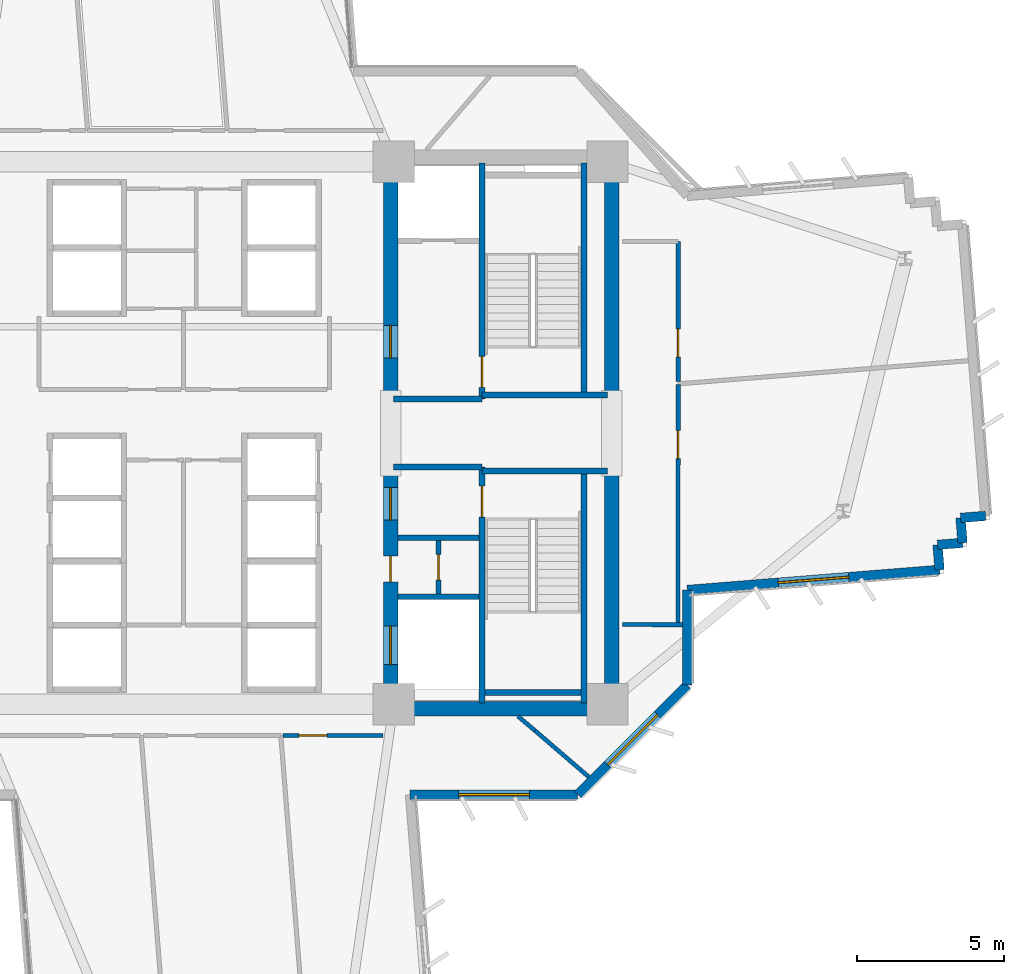
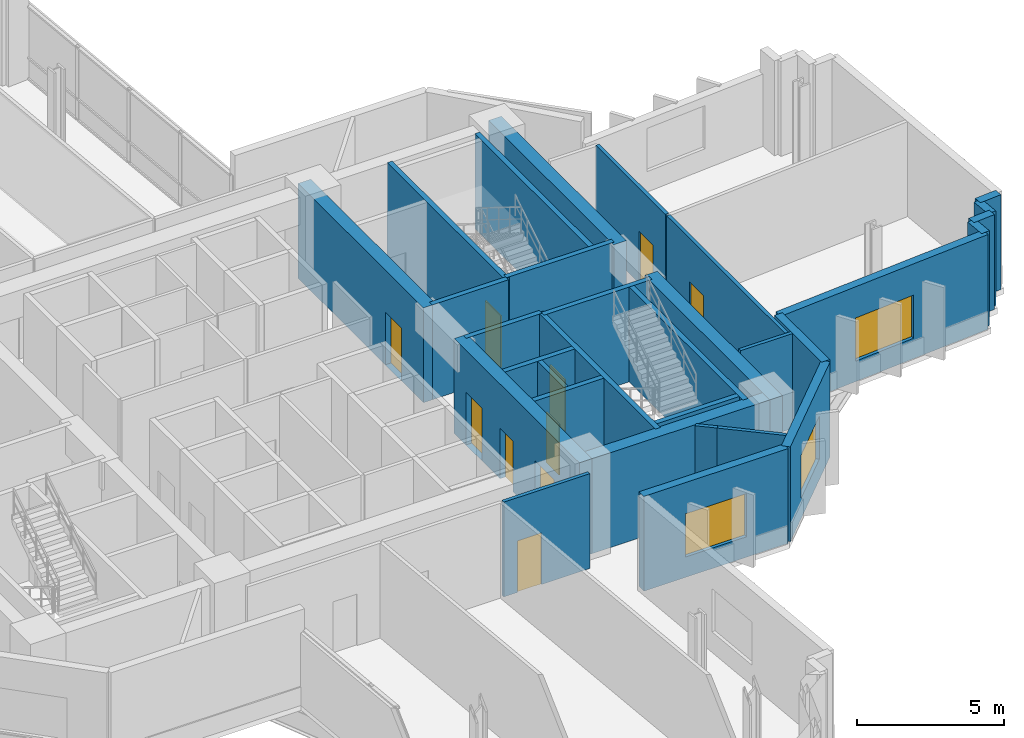
# One storey, part 8 of 15: 31 walls, 10 doors, 3 windows, 13 openings.
"""IFC4 building model written with IfcOpenShell, lengths in metres."""

from ifc_helpers import new_model, si_unit, direction, frame, frame_2d, origin, place, context, subcontext, project, spatial, rectangle, extrude, source, transform, mapped, material, layer, layer_set, type_object, element, fill, save


model = new_model("IFC4")

# Units and contexts
model_context = context("Model", 3, precision=1e-05, world=origin(), true_north=direction((0.0, 1.0)))
body_context = subcontext(model_context, "Body", "Model", "MODEL_VIEW")
ifc_project = project(units=[si_unit("LENGTHUNIT", "METRE"), si_unit("AREAUNIT", "SQUARE_METRE"), si_unit("VOLUMEUNIT", "CUBIC_METRE"), si_unit("PLANEANGLEUNIT", "RADIAN"), si_unit("MASSUNIT", "GRAM", prefix="KILO")], contexts=[model_context])

# Site, building, storey
site_placement = place(None, origin())
site = spatial("IfcSite", under=ifc_project, at=site_placement, CompositionType="ELEMENT")
building_placement = place(site_placement, origin())
building = spatial("IfcBuilding", under=site, at=building_placement, Name="Zahravan Cultural Tower", CompositionType="ELEMENT")
storey_placement = place(building_placement, frame((0.0, 0.0, 79.5)))
storey = spatial("IfcBuildingStorey", under=building, at=storey_placement, Name="L17", CompositionType="ELEMENT", Elevation=79.5)

# Wall, openings, doors
ifc_material_1 = material(Name="Concrete C60/75", Category="concrete")
ifc_layer_1 = layer(ifc_material_1, 0.5)
ifc_layer_set_1 = layer_set([ifc_layer_1], Name="Concrete C60/75")
wall_type_1 = type_object("IfcWallType", Name="CW-SHEAR-500-C60", PredefinedType="SHEAR", material=ifc_layer_set_1)
wall_1_placement = place(storey_placement, frame((43.0, 17.39990234375, 0.0), z_axis=(0.0, 0.0, 1.0), x_axis=(0.0, 1.0, 0.0)))
wall_1 = element("IfcWall", 1, at=wall_1_placement, inside=storey, type_object=wall_type_1, Name="L17 Core Shear Wall CW-E-WS-L17", PredefinedType="SHEAR", context=body_context, shape_type="SweptSolid", body=[
    extrude(rectangle(XDim=8.550048828125, YDim=0.5, at=frame_2d((4.27490234375, 0.0))), origin(), (0.0, 0.0, 1.0), 3.949951171875),
])
opening_1_placement = place(wall_1_placement, frame((6.64990234375, 0.0, 0.0)))
opening_1 = element("IfcOpeningElement", 2, at=opening_1_placement, cuts=wall_1, Name="Opening D-L17-08", PredefinedType="OPENING", context=body_context, shape_type="SweptSolid", body=[
    extrude(rectangle(XDim=1.10009765625, YDim=2.199951171875, at=frame_2d((0.550048828125, 1.10009765625))), frame((0.0, 0.260009765625, 0.0), z_axis=(0.0, -1.0, 0.0), x_axis=(1.0, 0.0, 0.0)), (0.0, 0.0, 1.0), 0.52001953125),
])
opening_2_placement = place(wall_1_placement, frame((1.75, 0.0, 0.0)))
opening_2 = element("IfcOpeningElement", 3, at=opening_2_placement, cuts=wall_1, Name="Opening LD-L17-03", PredefinedType="OPENING", context=body_context, shape_type="SweptSolid", body=[
    extrude(rectangle(XDim=1.300048828125, YDim=2.199951171875, at=frame_2d((0.64990234375, 1.10009765625))), frame((0.0, 0.260009765625, 0.0), z_axis=(0.0, -1.0, 0.0), x_axis=(1.0, 0.0, 0.0)), (0.0, 0.0, 1.0), 0.52001953125),
])
opening_3_placement = place(wall_1_placement, frame((4.550048828125, 0.0, 0.0)))
opening_3 = element("IfcOpeningElement", 4, at=opening_3_placement, cuts=wall_1, Name="Opening D-L17-11", PredefinedType="OPENING", context=body_context, shape_type="SweptSolid", body=[
    extrude(rectangle(XDim=0.8798828125, YDim=2.10009765625, at=frame_2d((0.43994140625, 1.050048828125))), frame((0.0, 0.260009765625, 0.0), z_axis=(0.0, -1.0, 0.0), x_axis=(1.0, 0.0, 0.0)), (0.0, 0.0, 1.0), 0.52001953125),
])
ifc_material_2 = material(Name="Steel ASTM A572 Grade 50", Category="steel")
door_type_1 = type_object("IfcDoorType", Name="DR-LOBBY-1100", OperationType="NOTDEFINED", PredefinedType="DOOR", material=ifc_material_2)
shared_shape_1 = source(origin(), body_context, "Body", "SweptSolid", [
    extrude(rectangle(XDim=1.10009765625, YDim=2.199951171875, at=frame_2d((0.550048828125, 1.10009765625))), frame((0.0, 0.02490234375, 0.0), z_axis=(0.0, -1.0, 0.0), x_axis=(1.0, 0.0, 0.0)), (0.0, 0.0, 1.0), 0.050048828125),
])
door_1_placement = place(opening_1_placement, origin())
door_1 = element("IfcDoor", 5, at=door_1_placement, inside=storey, type_object=door_type_1, Name="L17 Door D-L17-08", OperationType="SINGLE_SWING_RIGHT", OverallHeight=2.199951171875, OverallWidth=1.10009765625, PredefinedType="DOOR", context=body_context, shape_type="MappedRepresentation", body=[
    mapped(shared_shape_1, transform((0.0, 0.0, 0.0), x_axis=(1.0, 0.0, 0.0), y_axis=(0.0, 1.0, 0.0), z_axis=(0.0, 0.0, 1.0), scale=1.0)),
])
fill(opening_1, door_1)
door_type_2 = type_object("IfcDoorType", Name="DR-LIFT-1300", OperationType="DOUBLE_DOOR_SLIDING", PredefinedType="DOOR", material=ifc_material_2)
shared_shape_2 = source(origin(), body_context, "Body", "SweptSolid", [
    extrude(rectangle(XDim=1.300048828125, YDim=2.199951171875, at=frame_2d((0.64990234375, 1.10009765625))), frame((0.0, 0.02490234375, 0.0), z_axis=(0.0, -1.0, 0.0), x_axis=(1.0, 0.0, 0.0)), (0.0, 0.0, 1.0), 0.050048828125),
])
door_2_placement = place(opening_2_placement, origin())
door_2 = element("IfcDoor", 6, at=door_2_placement, inside=storey, type_object=door_type_2, Name="L17 Door LD-L17-03", OperationType="DOUBLE_DOOR_SLIDING", OverallHeight=2.199951171875, OverallWidth=1.300048828125, PredefinedType="DOOR", context=body_context, shape_type="MappedRepresentation", body=[
    mapped(shared_shape_2, transform((0.0, 0.0, 0.0), x_axis=(1.0, 0.0, 0.0), y_axis=(0.0, 1.0, 0.0), z_axis=(0.0, 0.0, 1.0), scale=1.0)),
])
fill(opening_2, door_2)
door_type_3 = type_object("IfcDoorType", Name="DR-SVC-880", OperationType="NOTDEFINED", PredefinedType="DOOR", material=ifc_material_2)
shared_shape_3 = source(origin(), body_context, "Body", "SweptSolid", [
    extrude(rectangle(XDim=0.8798828125, YDim=2.10009765625, at=frame_2d((0.43994140625, 1.050048828125))), frame((0.0, 0.02490234375, 0.0), z_axis=(0.0, -1.0, 0.0), x_axis=(1.0, 0.0, 0.0)), (0.0, 0.0, 1.0), 0.050048828125),
])
door_3_placement = place(opening_3_placement, origin())
door_3 = element("IfcDoor", 7, at=door_3_placement, inside=storey, type_object=door_type_3, Name="L17 Door D-L17-11", OperationType="SINGLE_SWING_LEFT", OverallHeight=2.10009765625, OverallWidth=0.8798828125, PredefinedType="DOOR", context=body_context, shape_type="MappedRepresentation", body=[
    mapped(shared_shape_3, transform((0.0, 0.0, 0.0), x_axis=(1.0, 0.0, 0.0), y_axis=(0.0, 1.0, 0.0), z_axis=(0.0, 0.0, 1.0), scale=1.0)),
])
fill(opening_3, door_3)

# Wall, opening, door
wall_2_placement = place(storey_placement, frame((43.0, 28.050048828125, 0.0), z_axis=(0.0, 0.0, 1.0), x_axis=(0.0, 1.0, 0.0)))
wall_2 = element("IfcWall", 8, at=wall_2_placement, inside=storey, type_object=wall_type_1, Name="L17 Core Shear Wall CW-E-WN-L17", PredefinedType="SHEAR", context=body_context, shape_type="SweptSolid", body=[
    extrude(rectangle(XDim=8.550048828125, YDim=0.5, at=frame_2d((4.27490234375, 0.0))), origin(), (0.0, 0.0, 1.0), 3.949951171875),
])
opening_4_placement = place(wall_2_placement, frame((1.5, 0.0, 0.0)))
opening_4 = element("IfcOpeningElement", 9, at=opening_4_placement, cuts=wall_2, Name="Opening D-L17-06", PredefinedType="OPENING", context=body_context, shape_type="SweptSolid", body=[
    extrude(rectangle(XDim=1.10009765625, YDim=2.199951171875, at=frame_2d((0.550048828125, 1.10009765625))), frame((0.0, 0.260009765625, 0.0), z_axis=(0.0, -1.0, 0.0), x_axis=(1.0, 0.0, 0.0)), (0.0, 0.0, 1.0), 0.52001953125),
])
door_4_placement = place(opening_4_placement, origin())
door_4 = element("IfcDoor", 10, at=door_4_placement, inside=storey, type_object=door_type_1, Name="L17 Door D-L17-06", OperationType="SINGLE_SWING_RIGHT", OverallHeight=2.199951171875, OverallWidth=1.10009765625, PredefinedType="DOOR", context=body_context, shape_type="MappedRepresentation", body=[
    mapped(shared_shape_1, transform((0.0, 0.0, 0.0), x_axis=(1.0, 0.0, 0.0), y_axis=(0.0, 1.0, 0.0), z_axis=(0.0, 0.0, 1.0), scale=1.0)),
])
fill(opening_4, door_4)

# Wall, opening, window
ifc_material_3 = material(Name="Precast concrete C40/50", Category="concrete")
ifc_layer_2 = layer(ifc_material_3, 0.320068359375)
ifc_layer_set_2 = layer_set([ifc_layer_2], Name="Precast concrete C40/50")
wall_type_2 = type_object("IfcWallType", Name="EW-TC-320", PredefinedType="SOLIDWALL", material=ifc_layer_set_2)
wall_3_placement = place(storey_placement, frame((61.60986328125, 22.361328125, 0.0), z_axis=(0.0, 0.0, 1.0), x_axis=(-0.996834708052, -0.07950198, 0.0)))
wall_3 = element("IfcWall", 11, at=wall_3_placement, inside=storey, type_object=wall_type_2, Name="L17 Exterior Masonry Frame Wall 11", PredefinedType="SOLIDWALL", context=body_context, shape_type="SweptSolid", body=[
    extrude(rectangle(XDim=8.576904296875, YDim=0.320068359375, at=frame_2d((4.28857421875, 0.0))), origin(), (0.0, 0.0, 1.0), 3.949951171875),
])
opening_5_placement = place(wall_3_placement, frame((3.087890625, 0.0, 0.85009765625)))
opening_5 = element("IfcOpeningElement", 12, at=opening_5_placement, cuts=wall_3, Name="Opening WN-01", PredefinedType="OPENING", context=body_context, shape_type="SweptSolid", body=[
    extrude(rectangle(XDim=2.39990234375, YDim=1.800048828125, at=frame_2d((1.199951171875, 0.89990234375))), frame((0.0, 0.169921875, 0.0), z_axis=(0.0, -1.0, 0.0), x_axis=(1.0, 0.0, 0.0)), (0.0, 0.0, 1.0), 0.340087890625),
])
ifc_material_4 = material(Name="Low-E solar-control double glazing", Category="glass")
window_type = type_object("IfcWindowType", Name="WN-REC-2400X1800", PartitioningType="DOUBLE_PANEL_VERTICAL", PredefinedType="WINDOW", material=ifc_material_4)
shared_shape_4 = source(origin(), body_context, "Body", "SweptSolid", [
    extrude(rectangle(XDim=2.39990234375, YDim=1.800048828125, at=frame_2d((1.199951171875, 0.89990234375))), frame((0.0, 0.030029296875, 0.0), z_axis=(0.0, -1.0, 0.0), x_axis=(1.0, 0.0, 0.0)), (0.0, 0.0, 1.0), 0.06005859375),
])
window_1_placement = place(opening_5_placement, origin())
window_1 = element("IfcWindow", 13, at=window_1_placement, inside=storey, type_object=window_type, Name="L17 Recessed Solar Window 02", OverallHeight=1.800048828125, OverallWidth=2.39990234375, PartitioningType="DOUBLE_PANEL_VERTICAL", PredefinedType="WINDOW", context=body_context, shape_type="MappedRepresentation", body=[
    mapped(shared_shape_4, transform((0.0, 0.0, 0.0), x_axis=(1.0, 0.0, 0.0), y_axis=(0.0, 1.0, 0.0), z_axis=(0.0, 0.0, 1.0), scale=1.0)),
])
fill(opening_5, window_1)

wall_4_placement = place(storey_placement, frame((53.06005859375, 18.4580078125, 0.0), z_axis=(0.0, 0.0, 1.0), x_axis=(-0.707106781187, -0.707106781187, 0.0)))
wall_4 = element("IfcWall", 14, at=wall_4_placement, inside=storey, type_object=wall_type_2, Name="L17 Exterior Masonry Frame Wall 13", PredefinedType="SOLIDWALL", context=body_context, shape_type="SweptSolid", body=[
    extrude(rectangle(XDim=5.258056640625, YDim=0.320068359375, at=frame_2d((2.62890625, 0.0))), origin(), (0.0, 0.0, 1.0), 3.949951171875),
])
opening_6_placement = place(wall_4_placement, frame((1.428955078125, 0.0, 0.85009765625)))
opening_6 = element("IfcOpeningElement", 15, at=opening_6_placement, cuts=wall_4, Name="Opening WN-01", PredefinedType="OPENING", context=body_context, shape_type="SweptSolid", body=[
    extrude(rectangle(XDim=2.39990234375, YDim=1.800048828125, at=frame_2d((1.199951171875, 0.89990234375))), frame((0.0, 0.169921875, 0.0), z_axis=(0.0, -1.0, 0.0), x_axis=(1.0, 0.0, 0.0)), (0.0, 0.0, 1.0), 0.340087890625),
])
window_2_placement = place(opening_6_placement, origin())
window_2 = element("IfcWindow", 16, at=window_2_placement, inside=storey, type_object=window_type, Name="L17 Recessed Solar Window 03", OverallHeight=1.800048828125, OverallWidth=2.39990234375, PartitioningType="DOUBLE_PANEL_VERTICAL", PredefinedType="WINDOW", context=body_context, shape_type="MappedRepresentation", body=[
    mapped(shared_shape_4, transform((0.0, 0.0, 0.0), x_axis=(1.0, 0.0, 0.0), y_axis=(0.0, 1.0, 0.0), z_axis=(0.0, 0.0, 1.0), scale=1.0)),
])
fill(opening_6, window_2)

wall_5_placement = place(storey_placement, frame((49.342041015625, 14.739990234375, 0.0), z_axis=(0.0, 0.0, 1.0), x_axis=(-1.0, 0.0, 0.0)))
wall_5 = element("IfcWall", 17, at=wall_5_placement, inside=storey, type_object=wall_type_2, Name="L17 Exterior Masonry Frame Wall 14", PredefinedType="SOLIDWALL", context=body_context, shape_type="SweptSolid", body=[
    extrude(rectangle(XDim=5.68310546875, YDim=0.320068359375, at=frame_2d((2.841552734375, 0.0))), origin(), (0.0, 0.0, 1.0), 3.949951171875),
])
opening_7_placement = place(wall_5_placement, frame((1.64111328125, 0.0, 0.85009765625)))
opening_7 = element("IfcOpeningElement", 18, at=opening_7_placement, cuts=wall_5, Name="Opening WN-01", PredefinedType="OPENING", context=body_context, shape_type="SweptSolid", body=[
    extrude(rectangle(XDim=2.39990234375, YDim=1.800048828125, at=frame_2d((1.199951171875, 0.89990234375))), frame((0.0, 0.169921875, 0.0), z_axis=(0.0, -1.0, 0.0), x_axis=(1.0, 0.0, 0.0)), (0.0, 0.0, 1.0), 0.340087890625),
])
window_3_placement = place(opening_7_placement, origin())
window_3 = element("IfcWindow", 19, at=window_3_placement, inside=storey, type_object=window_type, Name="L17 Recessed Solar Window 04", OverallHeight=1.800048828125, OverallWidth=2.39990234375, PartitioningType="DOUBLE_PANEL_VERTICAL", PredefinedType="WINDOW", context=body_context, shape_type="MappedRepresentation", body=[
    mapped(shared_shape_4, transform((0.0, 0.0, 0.0), x_axis=(1.0, 0.0, 0.0), y_axis=(0.0, 1.0, 0.0), z_axis=(0.0, 0.0, 1.0), scale=1.0)),
])
fill(opening_7, window_3)

# Wall, opening, door
ifc_material_5 = material(Name="Gypsum plasterboard partition")
ifc_layer_3 = layer(ifc_material_5, 0.179931640625)
ifc_layer_set_3 = layer_set([ifc_layer_3], Name="Gypsum plasterboard partition")
wall_type_3 = type_object("IfcWallType", Name="W-COMP-180", PredefinedType="PARTITIONING", material=ifc_layer_set_3)
wall_6_placement = place(storey_placement, frame((44.6201171875, 21.550048828125, 0.0), z_axis=(0.0, 0.0, 1.0), x_axis=(0.0, 1.0, 0.0)))
wall_6 = element("IfcWall", 20, at=wall_6_placement, inside=storey, type_object=wall_type_3, Name="L17 Interior Wall 027", PredefinedType="PARTITIONING", context=body_context, shape_type="SweptSolid", body=[
    extrude(rectangle(XDim=1.800048828125, YDim=0.179931640625, at=frame_2d((0.89990234375, 0.0))), origin(), (0.0, 0.0, 1.0), 3.949951171875),
])
opening_8_placement = place(wall_6_placement, frame((0.4599609375, 0.0, 0.0)))
opening_8 = element("IfcOpeningElement", 21, at=opening_8_placement, cuts=wall_6, Name="Opening D-L17-12", PredefinedType="OPENING", context=body_context, shape_type="SweptSolid", body=[
    extrude(rectangle(XDim=0.8798828125, YDim=2.10009765625, at=frame_2d((0.43994140625, 1.050048828125))), frame((0.0, 0.099853515625, 0.0), z_axis=(0.0, -1.0, 0.0), x_axis=(1.0, 0.0, 0.0)), (0.0, 0.0, 1.0), 0.199951171875),
])
door_5_placement = place(opening_8_placement, origin())
door_5 = element("IfcDoor", 22, at=door_5_placement, inside=storey, type_object=door_type_3, Name="L17 Door D-L17-12", OperationType="SINGLE_SWING_RIGHT", OverallHeight=2.10009765625, OverallWidth=0.8798828125, PredefinedType="DOOR", context=body_context, shape_type="MappedRepresentation", body=[
    mapped(shared_shape_3, transform((0.0, 0.0, 0.0), x_axis=(1.0, 0.0, 0.0), y_axis=(0.0, 1.0, 0.0), z_axis=(0.0, 0.0, 1.0), scale=1.0)),
])
fill(opening_8, door_5)

ifc_layer_4 = layer(ifc_material_5, 0.139892578125)
ifc_layer_set_4 = layer_set([ifc_layer_4], Name="Gypsum plasterboard partition")
wall_type_4 = type_object("IfcWallType", Name="W-PART-140", PredefinedType="PARTITIONING", material=ifc_layer_set_4)
wall_7_placement = place(storey_placement, frame((39.351318359375, 16.739990234375, 0.0), z_axis=(0.0, 0.0, 1.0), x_axis=(0.999999935369, 0.000359531148, 0.0)))
wall_7 = element("IfcWall", 23, at=wall_7_placement, inside=storey, type_object=wall_type_4, Name="L17 Interior Wall 091", PredefinedType="PARTITIONING", context=body_context, shape_type="SweptSolid", body=[
    extrude(rectangle(XDim=3.395263671875, YDim=0.139892578125, at=frame_2d((1.69775390625, 0.0))), origin(), (0.0, 0.0, 1.0), 3.949951171875),
])
opening_9_placement = place(wall_7_placement, frame((0.5380859375, 0.0, 0.0)))
opening_9 = element("IfcOpeningElement", 24, at=opening_9_placement, cuts=wall_7, Name="Opening D-L17-28", PredefinedType="OPENING", context=body_context, shape_type="SweptSolid", body=[
    extrude(rectangle(XDim=0.949951171875, YDim=2.14990234375, at=frame_2d((0.47509765625, 1.074951171875))), frame((0.0, 0.079833984375, 0.0), z_axis=(0.0, -1.0, 0.0), x_axis=(1.0, 0.0, 0.0)), (0.0, 0.0, 1.0), 0.159912109375),
])
ifc_material_6 = material(Name="Anodised bronze-aluminium mullion", Category="aluminium")
door_type_4 = type_object("IfcDoorType", Name="DR-ROOM-950", OperationType="NOTDEFINED", PredefinedType="DOOR", material=ifc_material_6)
shared_shape_5 = source(origin(), body_context, "Body", "SweptSolid", [
    extrude(rectangle(XDim=0.949951171875, YDim=2.14990234375, at=frame_2d((0.47509765625, 1.074951171875))), frame((0.0, 0.02490234375, 0.0), z_axis=(0.0, -1.0, 0.0), x_axis=(1.0, 0.0, 0.0)), (0.0, 0.0, 1.0), 0.050048828125),
])
door_6_placement = place(opening_9_placement, origin())
door_6 = element("IfcDoor", 25, at=door_6_placement, inside=storey, type_object=door_type_4, Name="L17 Door D-L17-28", OperationType="SINGLE_SWING_RIGHT", OverallHeight=2.14990234375, OverallWidth=0.949951171875, PredefinedType="DOOR", context=body_context, shape_type="MappedRepresentation", body=[
    mapped(shared_shape_5, transform((0.0, 0.0, 0.0), x_axis=(1.0, 0.0, 0.0), y_axis=(0.0, 1.0, 0.0), z_axis=(0.0, 0.0, 1.0), scale=1.0)),
])
fill(opening_9, door_6)

wall_8_placement = place(storey_placement, frame((52.75, 28.7421875, 0.0), z_axis=(0.0, 0.0, 1.0), x_axis=(-0.000102701037, 0.999999994726, 0.0)))
wall_8 = element("IfcWall", 26, at=wall_8_placement, inside=storey, type_object=wall_type_4, Name="L17 Interior Wall 104", PredefinedType="PARTITIONING", context=body_context, shape_type="SweptSolid", body=[
    extrude(rectangle(XDim=4.75439453125, YDim=0.139892578125, at=frame_2d((2.377197265625, 0.0))), origin(), (0.0, 0.0, 1.0), 3.949951171875),
])
opening_10_placement = place(wall_8_placement, frame((0.8369140625, 0.0, 0.0)))
opening_10 = element("IfcOpeningElement", 27, at=opening_10_placement, cuts=wall_8, Name="Opening D-L17-20", PredefinedType="OPENING", context=body_context, shape_type="SweptSolid", body=[
    extrude(rectangle(XDim=0.949951171875, YDim=2.14990234375, at=frame_2d((0.47509765625, 1.074951171875))), frame((0.0, 0.079833984375, 0.0), z_axis=(0.0, -1.0, 0.0), x_axis=(1.0, 0.0, 0.0)), (0.0, 0.0, 1.0), 0.159912109375),
])
door_7_placement = place(opening_10_placement, origin())
door_7 = element("IfcDoor", 28, at=door_7_placement, inside=storey, type_object=door_type_4, Name="L17 Door D-L17-20", OperationType="SINGLE_SWING_RIGHT", OverallHeight=2.14990234375, OverallWidth=0.949951171875, PredefinedType="DOOR", context=body_context, shape_type="MappedRepresentation", body=[
    mapped(shared_shape_5, transform((0.0, 0.0, 0.0), x_axis=(1.0, 0.0, 0.0), y_axis=(0.0, 1.0, 0.0), z_axis=(0.0, 0.0, 1.0), scale=1.0)),
])
fill(opening_10, door_7)

wall_9_placement = place(storey_placement, frame((52.7451171875, 20.576171875, 0.0), z_axis=(0.0, 0.0, 1.0), x_axis=(0.000604997167, 0.999999816989, 0.0)))
wall_9 = element("IfcWall", 29, at=wall_9_placement, inside=storey, type_object=wall_type_4, Name="L17 Interior Wall 113", PredefinedType="PARTITIONING", context=body_context, shape_type="SweptSolid", body=[
    extrude(rectangle(XDim=8.07080078125, YDim=0.139892578125, at=frame_2d((4.035400390625, 0.0))), origin(), (0.0, 0.0, 1.0), 3.949951171875),
])
opening_11_placement = place(wall_9_placement, frame((5.55419921875, 0.0, 0.0)))
opening_11 = element("IfcOpeningElement", 30, at=opening_11_placement, cuts=wall_9, Name="Opening D-L17-19", PredefinedType="OPENING", context=body_context, shape_type="SweptSolid", body=[
    extrude(rectangle(XDim=0.949951171875, YDim=2.14990234375, at=frame_2d((0.47509765625, 1.074951171875))), frame((0.0, 0.079833984375, 0.0), z_axis=(0.0, -1.0, 0.0), x_axis=(1.0, 0.0, 0.0)), (0.0, 0.0, 1.0), 0.159912109375),
])
door_8_placement = place(opening_11_placement, origin())
door_8 = element("IfcDoor", 31, at=door_8_placement, inside=storey, type_object=door_type_4, Name="L17 Door D-L17-19", OperationType="SINGLE_SWING_LEFT", OverallHeight=2.14990234375, OverallWidth=0.949951171875, PredefinedType="DOOR", context=body_context, shape_type="MappedRepresentation", body=[
    mapped(shared_shape_5, transform((0.0, 0.0, 0.0), x_axis=(1.0, 0.0, 0.0), y_axis=(0.0, 1.0, 0.0), z_axis=(0.0, 0.0, 1.0), scale=1.0)),
])
fill(opening_11, door_8)

ifc_material_7 = material(Name="Concrete C45/55", Category="concrete")
ifc_layer_5 = layer(ifc_material_7, 0.199951171875)
ifc_layer_set_5 = layer_set([ifc_layer_5], Name="Concrete C45/55")
wall_type_5 = type_object("IfcWallType", Name="W-SHAFT-200", PredefinedType="SOLIDWALL", material=ifc_layer_set_5)
wall_10_placement = place(storey_placement, frame((46.10009765625, 17.85009765625, 0.0), z_axis=(0.0, 0.0, 1.0), x_axis=(0.0, 1.0, 0.0)))
wall_10 = element("IfcWall", 32, at=wall_10_placement, inside=storey, type_object=wall_type_5, Name="L17 Interior Wall 007", PredefinedType="SOLIDWALL", context=body_context, shape_type="SweptSolid", body=[
    extrude(rectangle(XDim=8.0, YDim=0.199951171875, at=frame_2d((4.0, 0.0))), origin(), (0.0, 0.0, 1.0), 3.949951171875),
])
opening_12_placement = place(wall_10_placement, frame((6.300048828125, 0.0, 0.0)))
opening_12 = element("IfcOpeningElement", 33, at=opening_12_placement, cuts=wall_10, Name="Opening D-L17-03", PredefinedType="OPENING", context=body_context, shape_type="SweptSolid", body=[
    extrude(rectangle(XDim=1.050048828125, YDim=2.14990234375, at=frame_2d((0.52490234375, 1.074951171875))), frame((0.0, 0.10986328125, 0.0), z_axis=(0.0, -1.0, 0.0), x_axis=(1.0, 0.0, 0.0)), (0.0, 0.0, 1.0), 0.219970703125),
])
door_type_5 = type_object("IfcDoorType", Name="DR-STAIR-1050", OperationType="NOTDEFINED", PredefinedType="DOOR", material=ifc_material_2)
shared_shape_6 = source(origin(), body_context, "Body", "SweptSolid", [
    extrude(rectangle(XDim=1.050048828125, YDim=2.14990234375, at=frame_2d((0.52490234375, 1.074951171875))), frame((0.0, 0.02490234375, 0.0), z_axis=(0.0, -1.0, 0.0), x_axis=(1.0, 0.0, 0.0)), (0.0, 0.0, 1.0), 0.050048828125),
])
door_9_placement = place(opening_12_placement, origin())
door_9 = element("IfcDoor", 34, at=door_9_placement, inside=storey, type_object=door_type_5, Name="L17 Door D-L17-03", OperationType="SINGLE_SWING_LEFT", OverallHeight=2.14990234375, OverallWidth=1.050048828125, PredefinedType="DOOR", context=body_context, shape_type="MappedRepresentation", body=[
    mapped(shared_shape_6, transform((0.0, 0.0, 0.0), x_axis=(1.0, 0.0, 0.0), y_axis=(0.0, 1.0, 0.0), z_axis=(0.0, 0.0, 1.0), scale=1.0)),
])
fill(opening_12, door_9)

wall_11_placement = place(storey_placement, frame((46.10009765625, 28.14990234375, 0.0), z_axis=(0.0, 0.0, 1.0), x_axis=(0.0, 1.0, 0.0)))
wall_11 = element("IfcWall", 35, at=wall_11_placement, inside=storey, type_object=wall_type_5, Name="L17 Interior Wall 008", PredefinedType="SOLIDWALL", context=body_context, shape_type="SweptSolid", body=[
    extrude(rectangle(XDim=8.0, YDim=0.199951171875, at=frame_2d((4.0, 0.0))), origin(), (0.0, 0.0, 1.0), 3.949951171875),
])
opening_13_placement = place(wall_11_placement, frame((0.39990234375, 0.0, 0.0)))
opening_13 = element("IfcOpeningElement", 36, at=opening_13_placement, cuts=wall_11, Name="Opening D-L17-02", PredefinedType="OPENING", context=body_context, shape_type="SweptSolid", body=[
    extrude(rectangle(XDim=1.050048828125, YDim=2.14990234375, at=frame_2d((0.52490234375, 1.074951171875))), frame((0.0, 0.10986328125, 0.0), z_axis=(0.0, -1.0, 0.0), x_axis=(1.0, 0.0, 0.0)), (0.0, 0.0, 1.0), 0.219970703125),
])
door_10_placement = place(opening_13_placement, origin())
door_10 = element("IfcDoor", 37, at=door_10_placement, inside=storey, type_object=door_type_5, Name="L17 Door D-L17-02", OperationType="SINGLE_SWING_RIGHT", OverallHeight=2.14990234375, OverallWidth=1.050048828125, PredefinedType="DOOR", context=body_context, shape_type="MappedRepresentation", body=[
    mapped(shared_shape_6, transform((0.0, 0.0, 0.0), x_axis=(1.0, 0.0, 0.0), y_axis=(0.0, 1.0, 0.0), z_axis=(0.0, 0.0, 1.0), scale=1.0)),
])
fill(opening_13, door_10)

# Walls
shared_shape_7 = source(origin(), body_context, "Body", "SweptSolid", [
    extrude(rectangle(XDim=8.550048828125, YDim=0.5, at=frame_2d((4.27490234375, 0.0))), origin(), (0.0, 0.0, 1.0), 3.949951171875),
])
for number, where, z_axis, x_axis, name in (
    (38, (50.5, 17.39990234375, 0.0), (0.0, 0.0, 1.0), (0.0, 1.0, 0.0), "L17 Core Shear Wall CW-E-ES-L17"),
    (39, (50.5, 28.050048828125, 0.0), (0.0, 0.0, 1.0), (0.0, 1.0, 0.0), "L17 Core Shear Wall CW-E-EN-L17"),
):
    element("IfcWall", number, at=place(storey_placement, frame(where, z_axis=z_axis, x_axis=x_axis)), inside=storey, type_object=wall_type_1, Name=name, PredefinedType="SHEAR", context=body_context, shape_type="MappedRepresentation", body=[
        mapped(shared_shape_7, transform((0.0, 0.0, 0.0), x_axis=(1.0, 0.0, 0.0), y_axis=(0.0, 1.0, 0.0), z_axis=(0.0, 0.0, 1.0), scale=1.0)),
    ])
shared_shape_8 = source(origin(), body_context, "Body", "SweptSolid", [
    extrude(rectangle(XDim=7.0, YDim=0.5, at=frame_2d((3.5, 0.0))), origin(), (0.0, 0.0, 1.0), 3.949951171875),
])
wall_12_placement = place(storey_placement, frame((43.25, 17.64990234375, 0.0), z_axis=(0.0, 0.0, 1.0), x_axis=(1.0, 0.0, 0.0)))
element("IfcWall", 40, at=wall_12_placement, inside=storey, type_object=wall_type_1, Name="L17 Core Shear Wall CW-E-S-L17", PredefinedType="SHEAR", context=body_context, shape_type="MappedRepresentation", body=[
    mapped(shared_shape_8, transform((0.0, 0.0, 0.0), x_axis=(1.0, 0.0, 0.0), y_axis=(0.0, 1.0, 0.0), z_axis=(0.0, 0.0, 1.0), scale=1.0)),
])
shared_shape_9 = source(origin(), body_context, "Body", "SweptSolid", [
    extrude(rectangle(XDim=0.849853515625, YDim=0.320068359375, at=frame_2d((0.4248046875, 0.0))), origin(), (0.0, 0.0, 1.0), 3.949951171875),
])
wall_13_placement = place(storey_placement, frame((63.169189453125, 24.191162109375, 0.0), z_axis=(0.0, 0.0, 1.0), x_axis=(-0.996828965123, -0.079573954853, 0.0)))
element("IfcWall", 41, at=wall_13_placement, inside=storey, type_object=wall_type_2, Name="L17 Exterior Masonry Frame Wall 07", PredefinedType="SOLIDWALL", context=body_context, shape_type="MappedRepresentation", body=[
    mapped(shared_shape_9, transform((0.0, 0.0, 0.0), x_axis=(1.0, 0.0, 0.0), y_axis=(0.0, 1.0, 0.0), z_axis=(0.0, 0.0, 1.0), scale=1.0)),
])
shared_shape_10 = source(origin(), body_context, "Body", "SweptSolid", [
    extrude(rectangle(XDim=0.85009765625, YDim=0.320068359375, at=frame_2d((0.425048828125, 0.0))), origin(), (0.0, 0.0, 1.0), 3.949951171875),
])
for number, where, z_axis, x_axis, name in (
    (42, (62.322021484375, 24.12353515625, 0.0), (0.0, 0.0, 1.0), (0.079551174585, -0.996830783344, 0.0), "L17 Exterior Masonry Frame Wall 08"),
    (43, (62.3896484375, 23.276123046875, 0.0), (0.0, 0.0, 1.0), (-0.99685351678, -0.079265793901, 0.0), "L17 Exterior Masonry Frame Wall 09"),
    (44, (61.542236328125, 23.208740234375, 0.0), (0.0, 0.0, 1.0), (0.079551174585, -0.996830783344, 0.0), "L17 Exterior Masonry Frame Wall 10"),
):
    element("IfcWall", number, at=place(storey_placement, frame(where, z_axis=z_axis, x_axis=x_axis)), inside=storey, type_object=wall_type_2, Name=name, PredefinedType="SOLIDWALL", context=body_context, shape_type="MappedRepresentation", body=[
        mapped(shared_shape_10, transform((0.0, 0.0, 0.0), x_axis=(1.0, 0.0, 0.0), y_axis=(0.0, 1.0, 0.0), z_axis=(0.0, 0.0, 1.0), scale=1.0)),
    ])
shared_shape_11 = source(origin(), body_context, "Body", "SweptSolid", [
    extrude(rectangle(XDim=3.221435546875, YDim=0.320068359375, at=frame_2d((1.61083984375, 0.0))), origin(), (0.0, 0.0, 1.0), 3.949951171875),
])
wall_14_placement = place(storey_placement, frame((53.06005859375, 21.679443359375, 0.0), z_axis=(0.0, 0.0, 1.0), x_axis=(0.0, -1.0, 0.0)))
element("IfcWall", 45, at=wall_14_placement, inside=storey, type_object=wall_type_2, Name="L17 Exterior Masonry Frame Wall 12", PredefinedType="SOLIDWALL", context=body_context, shape_type="MappedRepresentation", body=[
    mapped(shared_shape_11, transform((0.0, 0.0, 0.0), x_axis=(1.0, 0.0, 0.0), y_axis=(0.0, 1.0, 0.0), z_axis=(0.0, 0.0, 1.0), scale=1.0)),
])
shared_shape_12 = source(origin(), body_context, "Body", "SweptSolid", [
    extrude(rectangle(XDim=7.869873046875, YDim=0.199951171875, at=frame_2d((3.93505859375, 0.0))), origin(), (0.0, 0.0, 1.0), 3.949951171875),
])
for number, where, z_axis, x_axis, name in (
    (46, (49.550048828125, 17.85009765625, 0.0), (0.0, 0.0, 1.0), (0.0, 1.0, 0.0), "L17 Interior Wall 003"),
    (47, (49.550048828125, 28.280029296875, 0.0), (0.0, 0.0, 1.0), (0.0, 1.0, 0.0), "L17 Interior Wall 004"),
):
    element("IfcWall", number, at=place(storey_placement, frame(where, z_axis=z_axis, x_axis=x_axis)), inside=storey, type_object=wall_type_5, Name=name, PredefinedType="SOLIDWALL", context=body_context, shape_type="MappedRepresentation", body=[
        mapped(shared_shape_12, transform((0.0, 0.0, 0.0), x_axis=(1.0, 0.0, 0.0), y_axis=(0.0, 1.0, 0.0), z_axis=(0.0, 0.0, 1.0), scale=1.0)),
    ])
shared_shape_13 = source(origin(), body_context, "Body", "SweptSolid", [
    extrude(rectangle(XDim=4.25, YDim=0.199951171875, at=frame_2d((2.125, 0.0))), origin(), (0.0, 0.0, 1.0), 3.949951171875),
])
for number, where, z_axis, x_axis, name in (
    (48, (46.10009765625, 25.715087890625, 0.0), (0.0, 0.0, 1.0), (1.0, 0.0, 0.0), "L17 Interior Wall 014"),
    (49, (46.10009765625, 28.284912109375, 0.0), (0.0, 0.0, 1.0), (1.0, 0.0, 0.0), "L17 Interior Wall 016"),
):
    element("IfcWall", number, at=place(storey_placement, frame(where, z_axis=z_axis, x_axis=x_axis)), inside=storey, type_object=wall_type_5, Name=name, PredefinedType="SOLIDWALL", context=body_context, shape_type="MappedRepresentation", body=[
        mapped(shared_shape_13, transform((0.0, 0.0, 0.0), x_axis=(1.0, 0.0, 0.0), y_axis=(0.0, 1.0, 0.0), z_axis=(0.0, 0.0, 1.0), scale=1.0)),
    ])
shared_shape_14 = source(origin(), body_context, "Body", "SweptSolid", [
    extrude(rectangle(XDim=3.0, YDim=0.199951171875, at=frame_2d((1.5, 0.0))), origin(), (0.0, 0.0, 1.0), 3.949951171875),
])
for number, where, z_axis, x_axis, name in (
    (50, (43.10009765625, 25.85009765625, 0.0), (0.0, 0.0, 1.0), (1.0, 0.0, 0.0), "L17 Interior Wall 013"),
    (51, (43.10009765625, 28.14990234375, 0.0), (0.0, 0.0, 1.0), (1.0, 0.0, 0.0), "L17 Interior Wall 015"),
):
    element("IfcWall", number, at=place(storey_placement, frame(where, z_axis=z_axis, x_axis=x_axis)), inside=storey, type_object=wall_type_5, Name=name, PredefinedType="SOLIDWALL", context=body_context, shape_type="MappedRepresentation", body=[
        mapped(shared_shape_14, transform((0.0, 0.0, 0.0), x_axis=(1.0, 0.0, 0.0), y_axis=(0.0, 1.0, 0.0), z_axis=(0.0, 0.0, 1.0), scale=1.0)),
    ])
shared_shape_15 = source(origin(), body_context, "Body", "SweptSolid", [
    extrude(rectangle(XDim=3.25, YDim=0.199951171875, at=frame_2d((1.625, 0.0))), origin(), (0.0, 0.0, 1.0), 3.949951171875),
])
wall_15_placement = place(storey_placement, frame((46.199951171875, 18.199951171875, 0.0), z_axis=(0.0, 0.0, 1.0), x_axis=(1.0, 0.0, 0.0)))
element("IfcWall", 52, at=wall_15_placement, inside=storey, type_object=wall_type_5, Name="L17 Interior Wall 020", PredefinedType="SOLIDWALL", context=body_context, shape_type="MappedRepresentation", body=[
    mapped(shared_shape_15, transform((0.0, 0.0, 0.0), x_axis=(1.0, 0.0, 0.0), y_axis=(0.0, 1.0, 0.0), z_axis=(0.0, 0.0, 1.0), scale=1.0)),
])
shared_shape_16 = source(origin(), body_context, "Body", "SweptSolid", [
    extrude(rectangle(XDim=2.75, YDim=0.199951171875, at=frame_2d((1.375, 0.0))), origin(), (0.0, 0.0, 1.0), 3.949951171875),
])
for number, where, z_axis, x_axis, name in (
    (53, (43.25, 23.449951171875, 0.0), (0.0, 0.0, 1.0), (1.0, 0.0, 0.0), "L17 Interior Wall 024"),
    (54, (43.25, 21.449951171875, 0.0), (0.0, 0.0, 1.0), (1.0, 0.0, 0.0), "L17 Interior Wall 025"),
):
    element("IfcWall", number, at=place(storey_placement, frame(where, z_axis=z_axis, x_axis=x_axis)), inside=storey, type_object=wall_type_5, Name=name, PredefinedType="SOLIDWALL", context=body_context, shape_type="MappedRepresentation", body=[
        mapped(shared_shape_16, transform((0.0, 0.0, 0.0), x_axis=(1.0, 0.0, 0.0), y_axis=(0.0, 1.0, 0.0), z_axis=(0.0, 0.0, 1.0), scale=1.0)),
    ])
shared_shape_17 = source(origin(), body_context, "Body", "SweptSolid", [
    extrude(rectangle(XDim=2.04736328125, YDim=0.139892578125, at=frame_2d((1.023681640625, 0.0))), origin(), (0.0, 0.0, 1.0), 3.949951171875),
])
wall_16_placement = place(storey_placement, frame((50.8525390625, 20.50244140625, 0.0), z_axis=(0.0, 0.0, 1.0), x_axis=(0.999999822254, -0.000596231709, 0.0)))
element("IfcWall", 55, at=wall_16_placement, inside=storey, type_object=wall_type_4, Name="L17 Interior Wall 112", PredefinedType="PARTITIONING", context=body_context, shape_type="MappedRepresentation", body=[
    mapped(shared_shape_17, transform((0.0, 0.0, 0.0), x_axis=(1.0, 0.0, 0.0), y_axis=(0.0, 1.0, 0.0), z_axis=(0.0, 0.0, 1.0), scale=1.0)),
])
shared_shape_18 = source(origin(), body_context, "Body", "SweptSolid", [
    extrude(rectangle(XDim=0.7607421875, YDim=0.139892578125, at=frame_2d((0.38037109375, 0.0))), origin(), (0.0, 0.0, 1.0), 3.949951171875),
])
wall_17_placement = place(storey_placement, frame((47.318359375, 17.39501953125, 0.0), z_axis=(0.0, 0.0, 1.0), x_axis=(0.764128340752, -0.645064243978, 0.0)))
element("IfcWall", 56, at=wall_17_placement, inside=storey, type_object=wall_type_4, Name="L17 Interior Wall 092", PredefinedType="PARTITIONING", context=body_context, shape_type="MappedRepresentation", body=[
    mapped(shared_shape_18, transform((0.0, 0.0, 0.0), x_axis=(1.0, 0.0, 0.0), y_axis=(0.0, 1.0, 0.0), z_axis=(0.0, 0.0, 1.0), scale=1.0)),
])
shared_shape_19 = source(origin(), body_context, "Body", "SweptSolid", [
    extrude(rectangle(XDim=2.39208984375, YDim=0.139892578125, at=frame_2d((1.196044921875, 0.0))), origin(), (0.0, 0.0, 1.0), 3.949951171875),
])
wall_18_placement = place(storey_placement, frame((47.899658203125, 16.904296875, 0.0), z_axis=(0.0, 0.0, 1.0), x_axis=(0.758044905356, -0.652202362357, 0.0)))
element("IfcWall", 57, at=wall_18_placement, inside=storey, type_object=wall_type_4, Name="L17 Interior Wall 093", PredefinedType="PARTITIONING", context=body_context, shape_type="MappedRepresentation", body=[
    mapped(shared_shape_19, transform((0.0, 0.0, 0.0), x_axis=(1.0, 0.0, 0.0), y_axis=(0.0, 1.0, 0.0), z_axis=(0.0, 0.0, 1.0), scale=1.0)),
])

save(model, "model.ifc")
